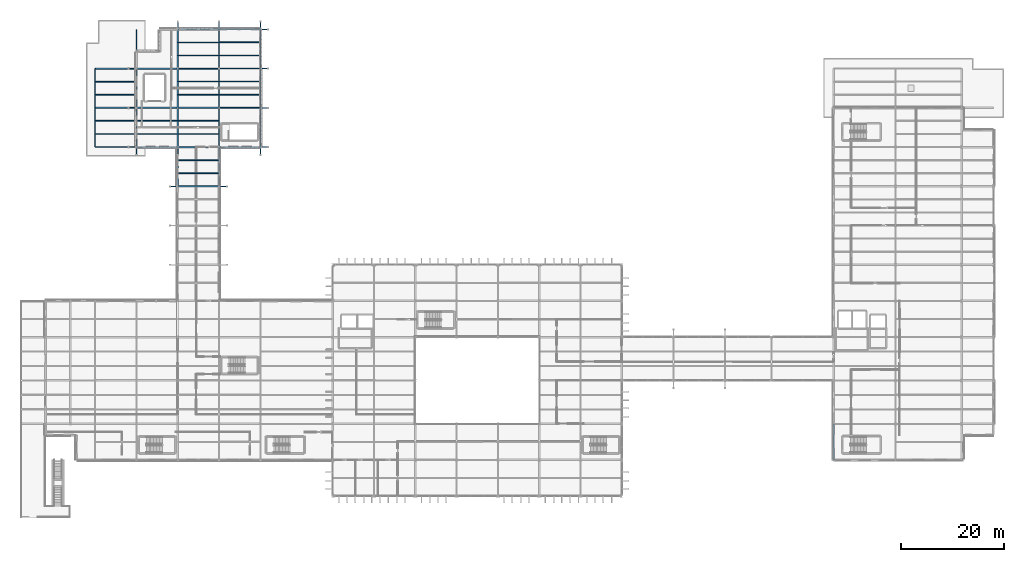
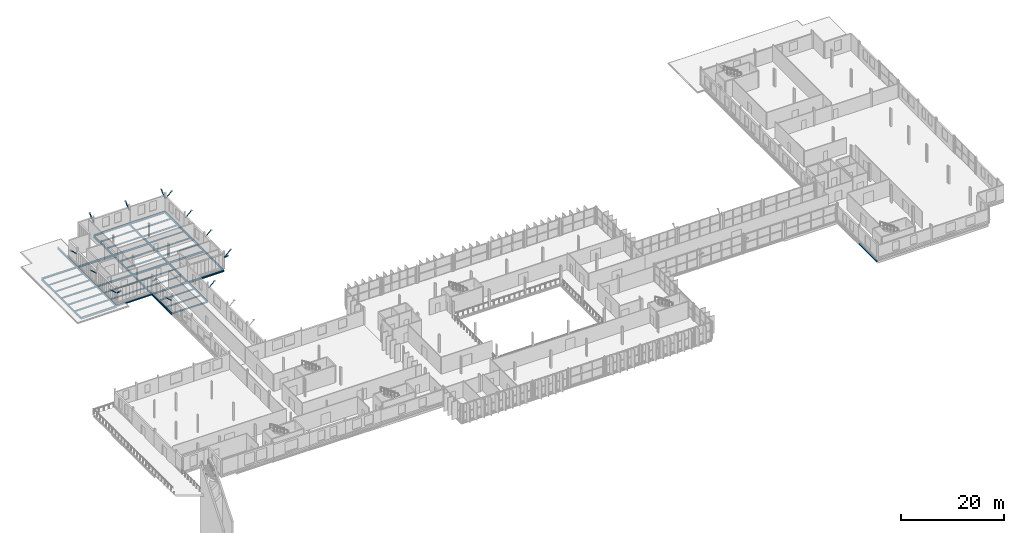
# One storey, part 51 of 101: 50 beams, 15 members.
"""IFC4 building model written with IfcOpenShell, lengths in metres."""

from ifc_helpers import new_model, si_unit, direction, frame, origin, origin_2d, place, context, subcontext, project, spatial, hollow_rectangle, i_section, extrude, material, material_profile, profile_set, type_object, element, save


model = new_model("IFC4")

# Units and contexts
model_context = context("Model", 3, precision=1e-05, world=origin(), true_north=direction((0.0, 1.0)))
body_context = subcontext(model_context, "Body", "Model", "MODEL_VIEW")
ifc_project = project(units=[si_unit("LENGTHUNIT", "METRE"), si_unit("AREAUNIT", "SQUARE_METRE"), si_unit("VOLUMEUNIT", "CUBIC_METRE"), si_unit("PLANEANGLEUNIT", "RADIAN"), si_unit("MASSUNIT", "GRAM", prefix="KILO")], contexts=[model_context])

# Site, building, storey
site_placement = place(None, origin())
site = spatial("IfcSite", under=ifc_project, at=site_placement, CompositionType="ELEMENT")
building_placement = place(site_placement, origin())
building = spatial("IfcBuilding", under=site, at=building_placement, Name="Vekula Escarpment Museum", CompositionType="ELEMENT")
storey_placement = place(building_placement, frame((0.0, 0.0, 18.0)))
storey = spatial("IfcBuildingStorey", under=building, at=storey_placement, Name="L04", CompositionType="ELEMENT", Elevation=18.0)

# Beams
ifc_material_1 = material(Name="Steel S355", Category="steel")
ifc_material_profile_1 = material_profile(ifc_material_1, i_section(OverallWidth=0.280029296875, OverallDepth=0.280029296875, WebThickness=0.010498046875, FlangeThickness=0.01806640625, FilletRadius=0.02392578125, at=origin_2d()), Name="HEB 280")
ifc_profile_set_1 = profile_set([ifc_material_profile_1], Name="Steel S355")
beam_type_1 = type_object("IfcBeamType", Name="BM-GIRD-HEB280", PredefinedType="BEAM", material=ifc_profile_set_1)
for number, where, z_axis, x_axis, name in (
    (1, (40.0, 105.60009765625, -0.3798828125), (1.0, 0.0, 0.0), (0.0, 1.0, 0.0), "Beam X L04 1796"),
    (2, (32.0, 113.199951171875, -0.3798828125), (1.0, 0.0, 0.0), (0.0, 1.0, 0.0), "Beam X L04 1801"),
):
    element("IfcBeam", number, at=place(storey_placement, frame(where, z_axis=z_axis, x_axis=x_axis)), inside=storey, type_object=beam_type_1, Name=name, PredefinedType="BEAM", context=body_context, shape_type="SweptSolid", body=[
        extrude(i_section(OverallWidth=0.280029296875, OverallDepth=0.280029296875, WebThickness=0.010498046875, FlangeThickness=0.01806640625, FilletRadius=0.02392578125, at=origin_2d()), origin(), (0.0, 0.0, 1.0), 8.0),
    ])
ifc_material_2 = material(Name="Steel S355", Category="steel")
ifc_material_profile_2 = material_profile(ifc_material_2, i_section(OverallWidth=0.300048828125, OverallDepth=0.300048828125, WebThickness=0.010986328125, FlangeThickness=0.01904296875, FilletRadius=0.027099609375, at=origin_2d()), Name="HEB 300")
ifc_profile_set_2 = profile_set([ifc_material_profile_2], Name="Steel S355")
beam_type_2 = type_object("IfcBeamType", Name="BM-GIRD-HEB300", PredefinedType="BEAM", material=ifc_profile_set_2)
beam_1_placement = place(storey_placement, frame((24.0, 120.800048828125, -0.389892578125), z_axis=(1.0, 0.0, 0.0), x_axis=(0.0, 1.0, 0.0)))
element("IfcBeam", 3, at=beam_1_placement, inside=storey, type_object=beam_type_2, Name="Beam X L04 1807", PredefinedType="BEAM", context=body_context, shape_type="SweptSolid", body=[
    extrude(i_section(OverallWidth=0.300048828125, OverallDepth=0.300048828125, WebThickness=0.010986328125, FlangeThickness=0.01904296875, FilletRadius=0.027099609375, at=origin_2d()), origin(), (0.0, 0.0, 1.0), 8.0),
])
ifc_material_3 = material(Name="Steel S355", Category="steel")
ifc_material_profile_3 = material_profile(ifc_material_3, i_section(OverallWidth=0.300048828125, OverallDepth=0.320068359375, WebThickness=0.011474609375, FlangeThickness=0.0205078125, FilletRadius=0.027099609375, at=origin_2d()), Name="HEB 320")
ifc_profile_set_3 = profile_set([ifc_material_profile_3], Name="Steel S355")
beam_type_3 = type_object("IfcBeamType", Name="BM-GIRD-HEB320", PredefinedType="BEAM", material=ifc_profile_set_3)
beam_2_placement = place(storey_placement, frame((40.0, 113.199951171875, -0.39990234375), z_axis=(1.0, 0.0, 0.0), x_axis=(0.0, 1.0, 0.0)))
element("IfcBeam", 4, at=beam_2_placement, inside=storey, type_object=beam_type_3, Name="Beam X L04 1802", PredefinedType="BEAM", context=body_context, shape_type="SweptSolid", body=[
    extrude(i_section(OverallWidth=0.300048828125, OverallDepth=0.320068359375, WebThickness=0.011474609375, FlangeThickness=0.0205078125, FilletRadius=0.027099609375, at=origin_2d()), origin(), (0.0, 0.0, 1.0), 8.0),
])
ifc_material_4 = material(Name="Steel S355", Category="steel")
ifc_material_profile_4 = material_profile(ifc_material_4, i_section(OverallWidth=0.300048828125, OverallDepth=0.360107421875, WebThickness=0.012451171875, FlangeThickness=0.0224609375, FilletRadius=0.027099609375, at=origin_2d()), Name="HEB 360")
ifc_profile_set_4 = profile_set([ifc_material_profile_4], Name="Steel S355")
beam_type_4 = type_object("IfcBeamType", Name="BM-GIRD-HEB360", PredefinedType="BEAM", material=ifc_profile_set_4)
for number, where, z_axis, x_axis, name in (
    (5, (32.0, 120.800048828125, -0.419921875), (1.0, 0.0, 0.0), (0.0, 1.0, 0.0), "Beam X L04 1808"),
    (6, (24.0, 128.39990234375, -0.419921875), (1.0, 0.0, 0.0), (0.0, 1.0, 0.0), "Beam X L04 1814"),
):
    element("IfcBeam", number, at=place(storey_placement, frame(where, z_axis=z_axis, x_axis=x_axis)), inside=storey, type_object=beam_type_4, Name=name, PredefinedType="BEAM", context=body_context, shape_type="SweptSolid", body=[
        extrude(i_section(OverallWidth=0.300048828125, OverallDepth=0.360107421875, WebThickness=0.012451171875, FlangeThickness=0.0224609375, FilletRadius=0.027099609375, at=origin_2d()), origin(), (0.0, 0.0, 1.0), 8.0),
    ])
ifc_material_5 = material(Name="Steel S355", Category="steel")
ifc_material_profile_5 = material_profile(ifc_material_5, i_section(OverallWidth=0.300048828125, OverallDepth=0.39990234375, WebThickness=0.013427734375, FlangeThickness=0.02392578125, FilletRadius=0.027099609375, at=origin_2d()), Name="HEB 400")
ifc_profile_set_5 = profile_set([ifc_material_profile_5], Name="Steel S355")
beam_type_5 = type_object("IfcBeamType", Name="BM-GIRD-HEB400", PredefinedType="BEAM", material=ifc_profile_set_5)
beam_3_placement = place(storey_placement, frame((48.0, 113.199951171875, -0.43994140625), z_axis=(1.0, 0.0, 0.0), x_axis=(0.0, 1.0, 0.0)))
element("IfcBeam", 7, at=beam_3_placement, inside=storey, type_object=beam_type_5, Name="Beam X L04 1803", PredefinedType="BEAM", context=body_context, shape_type="SweptSolid", body=[
    extrude(i_section(OverallWidth=0.300048828125, OverallDepth=0.39990234375, WebThickness=0.013427734375, FlangeThickness=0.02392578125, FilletRadius=0.027099609375, at=origin_2d()), origin(), (0.0, 0.0, 1.0), 8.0),
])
ifc_material_6 = material(Name="Steel S355", Category="steel")
ifc_material_profile_6 = material_profile(ifc_material_6, i_section(OverallWidth=0.300048828125, OverallDepth=0.449951171875, WebThickness=0.013916015625, FlangeThickness=0.02587890625, FilletRadius=0.027099609375, at=origin_2d()), Name="HEB 450")
ifc_profile_set_6 = profile_set([ifc_material_profile_6], Name="Steel S355")
beam_type_6 = type_object("IfcBeamType", Name="BM-GIRD-HEB450", PredefinedType="BEAM", material=ifc_profile_set_6)
for number, where, z_axis, x_axis, name in (
    (8, (40.0, 120.800048828125, -0.465087890625), (1.0, 0.0, 0.0), (0.0, 1.0, 0.0), "Beam X L04 1809"),
    (9, (32.0, 128.39990234375, -0.465087890625), (1.0, 0.0, 0.0), (0.0, 1.0, 0.0), "Beam X L04 1815"),
):
    element("IfcBeam", number, at=place(storey_placement, frame(where, z_axis=z_axis, x_axis=x_axis)), inside=storey, type_object=beam_type_6, Name=name, PredefinedType="BEAM", context=body_context, shape_type="SweptSolid", body=[
        extrude(i_section(OverallWidth=0.300048828125, OverallDepth=0.449951171875, WebThickness=0.013916015625, FlangeThickness=0.02587890625, FilletRadius=0.027099609375, at=origin_2d()), origin(), (0.0, 0.0, 1.0), 8.0),
    ])
ifc_material_7 = material(Name="Steel S355", Category="steel")
ifc_material_profile_7 = material_profile(ifc_material_7, i_section(OverallWidth=0.18994140625, OverallDepth=0.449951171875, WebThickness=0.009521484375, FlangeThickness=0.0146484375, FilletRadius=0.02099609375, at=origin_2d()), Name="IPE 450")
ifc_profile_set_7 = profile_set([ifc_material_profile_7], Name="Steel S355")
beam_type_7 = type_object("IfcBeamType", Name="BM-GIRD-IPE450", PredefinedType="BEAM", material=ifc_profile_set_7)
for number, where, z_axis, x_axis, name in (
    (10, (48.0, 120.800048828125, -0.465087890625), (1.0, 0.0, 0.0), (0.0, 1.0, 0.0), "Beam X L04 1810"),
    (11, (40.0, 128.39990234375, -0.465087890625), (1.0, 0.0, 0.0), (0.0, 1.0, 0.0), "Beam X L04 1816"),
):
    element("IfcBeam", number, at=place(storey_placement, frame(where, z_axis=z_axis, x_axis=x_axis)), inside=storey, type_object=beam_type_7, Name=name, PredefinedType="BEAM", context=body_context, shape_type="SweptSolid", body=[
        extrude(i_section(OverallWidth=0.18994140625, OverallDepth=0.449951171875, WebThickness=0.009521484375, FlangeThickness=0.0146484375, FilletRadius=0.02099609375, at=origin_2d()), origin(), (0.0, 0.0, 1.0), 8.0),
    ])
ifc_material_8 = material(Name="Steel S355", Category="steel")
ifc_material_profile_8 = material_profile(ifc_material_8, i_section(OverallWidth=0.199951171875, OverallDepth=0.5, WebThickness=0.01025390625, FlangeThickness=0.01611328125, FilletRadius=0.02099609375, at=origin_2d()), Name="IPE 500")
ifc_profile_set_8 = profile_set([ifc_material_profile_8], Name="Steel S355")
beam_type_8 = type_object("IfcBeamType", Name="BM-GIRD-IPE500", PredefinedType="BEAM", material=ifc_profile_set_8)
beam_4_placement = place(storey_placement, frame((24.0, 113.199951171875, -0.489990234375), z_axis=(1.0, 0.0, 0.0), x_axis=(0.0, 1.0, 0.0)))
element("IfcBeam", 12, at=beam_4_placement, inside=storey, type_object=beam_type_8, Name="Beam X L04 1800", PredefinedType="BEAM", context=body_context, shape_type="SweptSolid", body=[
    extrude(i_section(OverallWidth=0.199951171875, OverallDepth=0.5, WebThickness=0.01025390625, FlangeThickness=0.01611328125, FilletRadius=0.02099609375, at=origin_2d()), origin(), (0.0, 0.0, 1.0), 8.0),
])
beam_5_placement = place(storey_placement, frame((24.0, 113.199951171875, -0.449951171875), z_axis=(0.0, 1.0, 0.0), x_axis=(-1.0, 0.0, 0.0)))
element("IfcBeam", 13, at=beam_5_placement, inside=storey, type_object=beam_type_8, Name="Beam Y L04 1835", PredefinedType="BEAM", context=body_context, shape_type="SweptSolid", body=[
    extrude(i_section(OverallWidth=0.199951171875, OverallDepth=0.5, WebThickness=0.01025390625, FlangeThickness=0.01611328125, FilletRadius=0.02099609375, at=origin_2d()), origin(), (0.0, 0.0, 1.0), 7.60009765625),
])
beam_6_placement = place(storey_placement, frame((24.0, 120.800048828125, -0.449951171875), z_axis=(0.0, 1.0, 0.0), x_axis=(-1.0, 0.0, 0.0)))
element("IfcBeam", 14, at=beam_6_placement, inside=storey, type_object=beam_type_8, Name="Beam Y L04 1836", PredefinedType="BEAM", context=body_context, shape_type="SweptSolid", body=[
    extrude(i_section(OverallWidth=0.199951171875, OverallDepth=0.5, WebThickness=0.01025390625, FlangeThickness=0.01611328125, FilletRadius=0.02099609375, at=origin_2d()), origin(), (0.0, 0.0, 1.0), 7.599853515625),
])
beam_7_placement = place(storey_placement, frame((32.0, 113.199951171875, -0.489990234375), z_axis=(0.0, 1.0, 0.0), x_axis=(-1.0, 0.0, 0.0)))
element("IfcBeam", 15, at=beam_7_placement, inside=storey, type_object=beam_type_8, Name="Beam Y L04 1841", PredefinedType="BEAM", context=body_context, shape_type="SweptSolid", body=[
    extrude(i_section(OverallWidth=0.199951171875, OverallDepth=0.5, WebThickness=0.01025390625, FlangeThickness=0.01611328125, FilletRadius=0.02099609375, at=origin_2d()), origin(), (0.0, 0.0, 1.0), 7.60009765625),
])
beam_8_placement = place(storey_placement, frame((32.0, 120.800048828125, -0.489990234375), z_axis=(0.0, 1.0, 0.0), x_axis=(-1.0, 0.0, 0.0)))
element("IfcBeam", 16, at=beam_8_placement, inside=storey, type_object=beam_type_8, Name="Beam Y L04 1842", PredefinedType="BEAM", context=body_context, shape_type="SweptSolid", body=[
    extrude(i_section(OverallWidth=0.199951171875, OverallDepth=0.5, WebThickness=0.01025390625, FlangeThickness=0.01611328125, FilletRadius=0.02099609375, at=origin_2d()), origin(), (0.0, 0.0, 1.0), 7.599853515625),
])
beam_9_placement = place(storey_placement, frame((32.0, 128.39990234375, -0.489990234375), z_axis=(0.0, 1.0, 0.0), x_axis=(-1.0, 0.0, 0.0)))
element("IfcBeam", 17, at=beam_9_placement, inside=storey, type_object=beam_type_8, Name="Beam Y L04 1843", PredefinedType="BEAM", context=body_context, shape_type="SweptSolid", body=[
    extrude(i_section(OverallWidth=0.199951171875, OverallDepth=0.5, WebThickness=0.01025390625, FlangeThickness=0.01611328125, FilletRadius=0.02099609375, at=origin_2d()), origin(), (0.0, 0.0, 1.0), 7.60009765625),
])
beam_10_placement = place(storey_placement, frame((40.0, 105.60009765625, -0.489990234375), z_axis=(0.0, 1.0, 0.0), x_axis=(-1.0, 0.0, 0.0)))
element("IfcBeam", 18, at=beam_10_placement, inside=storey, type_object=beam_type_8, Name="Beam Y L04 1851", PredefinedType="BEAM", context=body_context, shape_type="SweptSolid", body=[
    extrude(i_section(OverallWidth=0.199951171875, OverallDepth=0.5, WebThickness=0.01025390625, FlangeThickness=0.01611328125, FilletRadius=0.02099609375, at=origin_2d()), origin(), (0.0, 0.0, 1.0), 7.599853515625),
])
beam_11_placement = place(storey_placement, frame((40.0, 113.199951171875, -0.489990234375), z_axis=(0.0, 1.0, 0.0), x_axis=(-1.0, 0.0, 0.0)))
element("IfcBeam", 19, at=beam_11_placement, inside=storey, type_object=beam_type_8, Name="Beam Y L04 1852", PredefinedType="BEAM", context=body_context, shape_type="SweptSolid", body=[
    extrude(i_section(OverallWidth=0.199951171875, OverallDepth=0.5, WebThickness=0.01025390625, FlangeThickness=0.01611328125, FilletRadius=0.02099609375, at=origin_2d()), origin(), (0.0, 0.0, 1.0), 7.60009765625),
])
beam_12_placement = place(storey_placement, frame((40.0, 120.800048828125, -0.489990234375), z_axis=(0.0, 1.0, 0.0), x_axis=(-1.0, 0.0, 0.0)))
element("IfcBeam", 20, at=beam_12_placement, inside=storey, type_object=beam_type_8, Name="Beam Y L04 1853", PredefinedType="BEAM", context=body_context, shape_type="SweptSolid", body=[
    extrude(i_section(OverallWidth=0.199951171875, OverallDepth=0.5, WebThickness=0.01025390625, FlangeThickness=0.01611328125, FilletRadius=0.02099609375, at=origin_2d()), origin(), (0.0, 0.0, 1.0), 7.599853515625),
])
beam_13_placement = place(storey_placement, frame((40.0, 128.39990234375, -0.489990234375), z_axis=(0.0, 1.0, 0.0), x_axis=(-1.0, 0.0, 0.0)))
element("IfcBeam", 21, at=beam_13_placement, inside=storey, type_object=beam_type_8, Name="Beam Y L04 1854", PredefinedType="BEAM", context=body_context, shape_type="SweptSolid", body=[
    extrude(i_section(OverallWidth=0.199951171875, OverallDepth=0.5, WebThickness=0.01025390625, FlangeThickness=0.01611328125, FilletRadius=0.02099609375, at=origin_2d()), origin(), (0.0, 0.0, 1.0), 7.60009765625),
])
beam_14_placement = place(storey_placement, frame((48.0, 105.60009765625, -0.489990234375), z_axis=(0.0, 1.0, 0.0), x_axis=(-1.0, 0.0, 0.0)))
element("IfcBeam", 22, at=beam_14_placement, inside=storey, type_object=beam_type_8, Name="Beam Y L04 1862", PredefinedType="BEAM", context=body_context, shape_type="SweptSolid", body=[
    extrude(i_section(OverallWidth=0.199951171875, OverallDepth=0.5, WebThickness=0.01025390625, FlangeThickness=0.01611328125, FilletRadius=0.02099609375, at=origin_2d()), origin(), (0.0, 0.0, 1.0), 7.599853515625),
])
beam_15_placement = place(storey_placement, frame((48.0, 113.199951171875, -0.489990234375), z_axis=(0.0, 1.0, 0.0), x_axis=(-1.0, 0.0, 0.0)))
element("IfcBeam", 23, at=beam_15_placement, inside=storey, type_object=beam_type_8, Name="Beam Y L04 1863", PredefinedType="BEAM", context=body_context, shape_type="SweptSolid", body=[
    extrude(i_section(OverallWidth=0.199951171875, OverallDepth=0.5, WebThickness=0.01025390625, FlangeThickness=0.01611328125, FilletRadius=0.02099609375, at=origin_2d()), origin(), (0.0, 0.0, 1.0), 7.60009765625),
])
beam_16_placement = place(storey_placement, frame((48.0, 120.800048828125, -0.489990234375), z_axis=(0.0, 1.0, 0.0), x_axis=(-1.0, 0.0, 0.0)))
element("IfcBeam", 24, at=beam_16_placement, inside=storey, type_object=beam_type_8, Name="Beam Y L04 1864", PredefinedType="BEAM", context=body_context, shape_type="SweptSolid", body=[
    extrude(i_section(OverallWidth=0.199951171875, OverallDepth=0.5, WebThickness=0.01025390625, FlangeThickness=0.01611328125, FilletRadius=0.02099609375, at=origin_2d()), origin(), (0.0, 0.0, 1.0), 7.599853515625),
])
for number, where, z_axis, x_axis, name in (
    (25, (48.0, 128.39990234375, -0.489990234375), (0.0, 1.0, 0.0), (-1.0, 0.0, 0.0), "Beam Y L04 1865"),
    (26, (56.0, 113.199951171875, -0.489990234375), (0.0, 1.0, 0.0), (-1.0, 0.0, 0.0), "Beam Y L04 1870"),
):
    element("IfcBeam", number, at=place(storey_placement, frame(where, z_axis=z_axis, x_axis=x_axis)), inside=storey, type_object=beam_type_8, Name=name, PredefinedType="BEAM", context=body_context, shape_type="SweptSolid", body=[
        extrude(i_section(OverallWidth=0.199951171875, OverallDepth=0.5, WebThickness=0.01025390625, FlangeThickness=0.01611328125, FilletRadius=0.02099609375, at=origin_2d()), origin(), (0.0, 0.0, 1.0), 7.60009765625),
    ])
beam_17_placement = place(storey_placement, frame((56.0, 120.800048828125, -0.489990234375), z_axis=(0.0, 1.0, 0.0), x_axis=(-1.0, 0.0, 0.0)))
element("IfcBeam", 27, at=beam_17_placement, inside=storey, type_object=beam_type_8, Name="Beam Y L04 1871", PredefinedType="BEAM", context=body_context, shape_type="SweptSolid", body=[
    extrude(i_section(OverallWidth=0.199951171875, OverallDepth=0.5, WebThickness=0.01025390625, FlangeThickness=0.01611328125, FilletRadius=0.02099609375, at=origin_2d()), origin(), (0.0, 0.0, 1.0), 7.599853515625),
])
beam_18_placement = place(storey_placement, frame((56.0, 128.39990234375, -0.489990234375), z_axis=(0.0, 1.0, 0.0), x_axis=(-1.0, 0.0, 0.0)))
element("IfcBeam", 28, at=beam_18_placement, inside=storey, type_object=beam_type_8, Name="Beam Y L04 1872", PredefinedType="BEAM", context=body_context, shape_type="SweptSolid", body=[
    extrude(i_section(OverallWidth=0.199951171875, OverallDepth=0.5, WebThickness=0.01025390625, FlangeThickness=0.01611328125, FilletRadius=0.02099609375, at=origin_2d()), origin(), (0.0, 0.0, 1.0), 7.60009765625),
])
ifc_material_9 = material(Name="Steel S355", Category="steel")
ifc_material_profile_9 = material_profile(ifc_material_9, i_section(OverallWidth=0.1201171875, OverallDepth=0.239990234375, WebThickness=0.006103515625, FlangeThickness=0.009765625, FilletRadius=0.014892578125, at=origin_2d()), Name="IPE 240")
ifc_profile_set_9 = profile_set([ifc_material_profile_9], Name="Steel S355")
beam_type_9 = type_object("IfcBeamType", Name="BM-JST-IPE240", PredefinedType="JOIST", material=ifc_profile_set_9)
for number, where, z_axis, x_axis, name in (
    (29, (40.090087890625, 130.933349609375, -0.360107421875), (1.0, 0.0, 0.0), (0.0, 1.0, 0.0), "Secondary Joist L04 1182"),
    (30, (40.090087890625, 133.466796875, -0.360107421875), (1.0, 0.0, 0.0), (0.0, 1.0, 0.0), "Secondary Joist L04 1183"),
    (31, (48.090087890625, 123.333251953125, -0.360107421875), (1.0, 0.0, 0.0), (0.0, 1.0, 0.0), "Secondary Joist L04 1188"),
    (32, (48.090087890625, 125.86669921875, -0.360107421875), (1.0, 0.0, 0.0), (0.0, 1.0, 0.0), "Secondary Joist L04 1189"),
):
    element("IfcBeam", number, at=place(storey_placement, frame(where, z_axis=z_axis, x_axis=x_axis)), inside=storey, type_object=beam_type_9, Name=name, PredefinedType="JOIST", context=body_context, shape_type="SweptSolid", body=[
        extrude(i_section(OverallWidth=0.1201171875, OverallDepth=0.239990234375, WebThickness=0.006103515625, FlangeThickness=0.009765625, FilletRadius=0.014892578125, at=origin_2d()), origin(), (0.0, 0.0, 1.0), 7.81982421875),
    ])
ifc_material_10 = material(Name="Steel S355", Category="steel")
ifc_material_profile_10 = material_profile(ifc_material_10, i_section(OverallWidth=0.135009765625, OverallDepth=0.27001953125, WebThickness=0.006591796875, FlangeThickness=0.01025390625, FilletRadius=0.014892578125, at=origin_2d()), Name="IPE 270")
ifc_profile_set_10 = profile_set([ifc_material_profile_10], Name="Steel S355")
beam_type_10 = type_object("IfcBeamType", Name="BM-JST-IPE270", PredefinedType="JOIST", material=ifc_profile_set_10)
for number, where, z_axis, x_axis, name in (
    (33, (40.090087890625, 123.333251953125, -0.375), (1.0, 0.0, 0.0), (0.0, 1.0, 0.0), "Secondary Joist L04 1180"),
    (34, (40.090087890625, 125.86669921875, -0.375), (1.0, 0.0, 0.0), (0.0, 1.0, 0.0), "Secondary Joist L04 1181"),
):
    element("IfcBeam", number, at=place(storey_placement, frame(where, z_axis=z_axis, x_axis=x_axis)), inside=storey, type_object=beam_type_10, Name=name, PredefinedType="JOIST", context=body_context, shape_type="SweptSolid", body=[
        extrude(i_section(OverallWidth=0.135009765625, OverallDepth=0.27001953125, WebThickness=0.006591796875, FlangeThickness=0.01025390625, FilletRadius=0.014892578125, at=origin_2d()), origin(), (0.0, 0.0, 1.0), 7.81982421875),
    ])
ifc_material_11 = material(Name="Steel S355", Category="steel")
ifc_material_profile_11 = material_profile(ifc_material_11, i_section(OverallWidth=0.14990234375, OverallDepth=0.300048828125, WebThickness=0.007080078125, FlangeThickness=0.0107421875, FilletRadius=0.014892578125, at=origin_2d()), Name="IPE 300")
ifc_profile_set_11 = profile_set([ifc_material_profile_11], Name="Steel S355")
beam_type_11 = type_object("IfcBeamType", Name="BM-JST-IPE300", PredefinedType="JOIST", material=ifc_profile_set_11)
for number, where, z_axis, x_axis, name in (
    (35, (40.090087890625, 115.7333984375, -0.389892578125), (1.0, 0.0, 0.0), (0.0, 1.0, 0.0), "Secondary Joist L04 1178"),
    (36, (40.090087890625, 118.2666015625, -0.389892578125), (1.0, 0.0, 0.0), (0.0, 1.0, 0.0), "Secondary Joist L04 1179"),
):
    element("IfcBeam", number, at=place(storey_placement, frame(where, z_axis=z_axis, x_axis=x_axis)), inside=storey, type_object=beam_type_11, Name=name, PredefinedType="JOIST", context=body_context, shape_type="SweptSolid", body=[
        extrude(i_section(OverallWidth=0.14990234375, OverallDepth=0.300048828125, WebThickness=0.007080078125, FlangeThickness=0.0107421875, FilletRadius=0.014892578125, at=origin_2d()), origin(), (0.0, 0.0, 1.0), 7.81982421875),
    ])
ifc_material_12 = material(Name="Steel S355", Category="steel")
ifc_material_profile_12 = material_profile(ifc_material_12, i_section(OverallWidth=0.159912109375, OverallDepth=0.330078125, WebThickness=0.007568359375, FlangeThickness=0.011474609375, FilletRadius=0.01806640625, at=origin_2d()), Name="IPE 330")
ifc_profile_set_12 = profile_set([ifc_material_profile_12], Name="Steel S355")
beam_type_12 = type_object("IfcBeamType", Name="BM-JST-IPE330", PredefinedType="JOIST", material=ifc_profile_set_12)
for number, where, z_axis, x_axis, name in (
    (37, (24.090087890625, 123.333251953125, -0.405029296875), (1.0, 0.0, 0.0), (0.0, 1.0, 0.0), "Secondary Joist L04 1156"),
    (38, (24.090087890625, 125.86669921875, -0.405029296875), (1.0, 0.0, 0.0), (0.0, 1.0, 0.0), "Secondary Joist L04 1157"),
    (39, (32.090087890625, 115.7333984375, -0.405029296875), (1.0, 0.0, 0.0), (0.0, 1.0, 0.0), "Secondary Joist L04 1163"),
    (40, (32.090087890625, 118.2666015625, -0.405029296875), (1.0, 0.0, 0.0), (0.0, 1.0, 0.0), "Secondary Joist L04 1164"),
    (41, (40.090087890625, 108.13330078125, -0.405029296875), (1.0, 0.0, 0.0), (0.0, 1.0, 0.0), "Secondary Joist L04 1176"),
    (42, (40.090087890625, 110.666748046875, -0.405029296875), (1.0, 0.0, 0.0), (0.0, 1.0, 0.0), "Secondary Joist L04 1177"),
):
    element("IfcBeam", number, at=place(storey_placement, frame(where, z_axis=z_axis, x_axis=x_axis)), inside=storey, type_object=beam_type_12, Name=name, PredefinedType="JOIST", context=body_context, shape_type="SweptSolid", body=[
        extrude(i_section(OverallWidth=0.159912109375, OverallDepth=0.330078125, WebThickness=0.007568359375, FlangeThickness=0.011474609375, FilletRadius=0.01806640625, at=origin_2d()), origin(), (0.0, 0.0, 1.0), 7.81982421875),
    ])
ifc_material_13 = material(Name="Steel S355", Category="steel")
ifc_material_profile_13 = material_profile(ifc_material_13, i_section(OverallWidth=0.169921875, OverallDepth=0.360107421875, WebThickness=0.008056640625, FlangeThickness=0.0126953125, FilletRadius=0.01806640625, at=origin_2d()), Name="IPE 360")
ifc_profile_set_13 = profile_set([ifc_material_profile_13], Name="Steel S355")
beam_type_13 = type_object("IfcBeamType", Name="BM-JST-IPE360", PredefinedType="JOIST", material=ifc_profile_set_13)
for number, where, z_axis, x_axis, name in (
    (43, (24.090087890625, 115.7333984375, -0.419921875), (1.0, 0.0, 0.0), (0.0, 1.0, 0.0), "Secondary Joist L04 1154"),
    (44, (24.090087890625, 118.2666015625, -0.419921875), (1.0, 0.0, 0.0), (0.0, 1.0, 0.0), "Secondary Joist L04 1155"),
    (45, (48.090087890625, 130.933349609375, -0.419921875), (1.0, 0.0, 0.0), (0.0, 1.0, 0.0), "Secondary Joist L04 1190"),
    (46, (48.090087890625, 133.466796875, -0.419921875), (1.0, 0.0, 0.0), (0.0, 1.0, 0.0), "Secondary Joist L04 1191"),
):
    element("IfcBeam", number, at=place(storey_placement, frame(where, z_axis=z_axis, x_axis=x_axis)), inside=storey, type_object=beam_type_13, Name=name, PredefinedType="JOIST", context=body_context, shape_type="SweptSolid", body=[
        extrude(i_section(OverallWidth=0.169921875, OverallDepth=0.360107421875, WebThickness=0.008056640625, FlangeThickness=0.0126953125, FilletRadius=0.01806640625, at=origin_2d()), origin(), (0.0, 0.0, 1.0), 7.81982421875),
    ])
ifc_material_14 = material(Name="Steel S355", Category="steel")
ifc_material_profile_14 = material_profile(ifc_material_14, i_section(OverallWidth=0.239990234375, OverallDepth=0.22998046875, WebThickness=0.007568359375, FlangeThickness=0.011962890625, FilletRadius=0.02099609375, at=origin_2d()), Name="HEA 240")
ifc_profile_set_14 = profile_set([ifc_material_profile_14], Name="Steel S355")
beam_type_14 = type_object("IfcBeamType", Name="BM-SPAN-HEA240", PredefinedType="SPANDREL", material=ifc_profile_set_14)
beam_19_placement = place(storey_placement, frame((48.0, 128.39990234375, -0.35498046875), z_axis=(1.0, 0.0, 0.0), x_axis=(0.0, 1.0, 0.0)))
element("IfcBeam", 47, at=beam_19_placement, inside=storey, type_object=beam_type_14, Name="Beam X L04 1817", PredefinedType="SPANDREL", context=body_context, shape_type="SweptSolid", body=[
    extrude(i_section(OverallWidth=0.239990234375, OverallDepth=0.22998046875, WebThickness=0.007568359375, FlangeThickness=0.011962890625, FilletRadius=0.02099609375, at=origin_2d()), origin(), (0.0, 0.0, 1.0), 8.0),
])
ifc_material_15 = material(Name="Steel S355", Category="steel")
ifc_material_profile_15 = material_profile(ifc_material_15, i_section(OverallWidth=0.300048828125, OverallDepth=0.2900390625, WebThickness=0.008544921875, FlangeThickness=0.013916015625, FilletRadius=0.027099609375, at=origin_2d()), Name="HEA 300")
ifc_profile_set_15 = profile_set([ifc_material_profile_15], Name="Steel S355")
beam_type_15 = type_object("IfcBeamType", Name="BM-SPAN-HEA300", PredefinedType="SPANDREL", material=ifc_profile_set_15)
beam_20_placement = place(storey_placement, frame((167.0, 52.60009765625, -0.425048828125), z_axis=(0.0, 1.0, 0.0), x_axis=(-1.0, 0.0, 0.0)))
element("IfcBeam", 48, at=beam_20_placement, inside=storey, type_object=beam_type_15, Name="Beam Y L04 1920", PredefinedType="SPANDREL", context=body_context, shape_type="SweptSolid", body=[
    extrude(i_section(OverallWidth=0.300048828125, OverallDepth=0.2900390625, WebThickness=0.008544921875, FlangeThickness=0.013916015625, FilletRadius=0.027099609375, at=origin_2d()), origin(), (0.0, 0.0, 1.0), 7.0),
])
ifc_material_16 = material(Name="Steel S355", Category="steel")
ifc_material_profile_16 = material_profile(ifc_material_16, i_section(OverallWidth=0.300048828125, OverallDepth=0.389892578125, WebThickness=0.010986328125, FlangeThickness=0.01904296875, FilletRadius=0.027099609375, at=origin_2d()), Name="HEA 400")
ifc_profile_set_16 = profile_set([ifc_material_profile_16], Name="Steel S355")
beam_type_16 = type_object("IfcBeamType", Name="BM-SPAN-HEA400", PredefinedType="SPANDREL", material=ifc_profile_set_16)
for number, where, z_axis, x_axis, name in (
    (49, (40.0, 136.0, -0.43505859375), (1.0, 0.0, 0.0), (0.0, 1.0, 0.0), "Beam X L04 1820"),
    (50, (48.0, 136.0, -0.43505859375), (1.0, 0.0, 0.0), (0.0, 1.0, 0.0), "Beam X L04 1821"),
):
    element("IfcBeam", number, at=place(storey_placement, frame(where, z_axis=z_axis, x_axis=x_axis)), inside=storey, type_object=beam_type_16, Name=name, PredefinedType="SPANDREL", context=body_context, shape_type="SweptSolid", body=[
        extrude(i_section(OverallWidth=0.300048828125, OverallDepth=0.389892578125, WebThickness=0.010986328125, FlangeThickness=0.01904296875, FilletRadius=0.027099609375, at=origin_2d()), origin(), (0.0, 0.0, 1.0), 8.0),
    ])

# Members
ifc_material_17 = material(Name="Steel S355", Category="steel")
ifc_material_profile_17 = material_profile(ifc_material_17, hollow_rectangle(XDim=0.10009765625, YDim=0.199951171875, WallThickness=0.008056640625, InnerFilletRadius=0.008056640625, OuterFilletRadius=0.01611328125, at=origin_2d()), Name="RHS 200x100x8")
ifc_profile_set_17 = profile_set([ifc_material_profile_17], Name="Steel S355")
member_type = type_object("IfcMemberType", Name="MB-SACAK-BRK", PredefinedType="STRUT", material=ifc_profile_set_17)
member_1_placement = place(storey_placement, frame((31.8798828125, 113.199951171875, 2.75), z_axis=(-0.738454378718, 0.0, 0.674303441006), x_axis=(0.0, -1.0, 0.0)))
element("IfcMember", 51, at=member_1_placement, inside=storey, type_object=member_type, Name="Ottoman Sacak Eave Bracket L05-0104", PredefinedType="STRUT", context=body_context, shape_type="SweptSolid", body=[
    extrude(hollow_rectangle(XDim=0.10009765625, YDim=0.199951171875, WallThickness=0.008056640625, InnerFilletRadius=0.008056640625, OuterFilletRadius=0.01611328125, at=origin_2d()), origin(), (0.0, 0.0, 1.0), 1.86865234375),
])
member_2_placement = place(storey_placement, frame((32.0, 113.080078125, 2.75), z_axis=(0.0, -0.738513776389, 0.674238386688), x_axis=(1.0, 0.0, 0.0)))
element("IfcMember", 52, at=member_2_placement, inside=storey, type_object=member_type, Name="Ottoman Sacak Eave Bracket L05-0105", PredefinedType="STRUT", context=body_context, shape_type="SweptSolid", body=[
    extrude(hollow_rectangle(XDim=0.10009765625, YDim=0.199951171875, WallThickness=0.008056640625, InnerFilletRadius=0.008056640625, OuterFilletRadius=0.01611328125, at=origin_2d()), origin(), (0.0, 0.0, 1.0), 1.868896484375),
])
for number, where, z_axis, x_axis, name in (
    (53, (31.8798828125, 120.800048828125, 2.75), (-0.738454378718, 0.0, 0.674303441006), (0.0, -1.0, 0.0), "Ottoman Sacak Eave Bracket L05-0106"),
    (54, (31.8798828125, 128.39990234375, 2.75), (-0.738454378718, 0.0, 0.674303441006), (0.0, -1.0, 0.0), "Ottoman Sacak Eave Bracket L05-0107"),
    (55, (39.8798828125, 105.60009765625, 2.75), (-0.738454378718, 0.0, 0.674303441006), (0.0, -1.0, 0.0), "Ottoman Sacak Eave Bracket L05-0110"),
):
    element("IfcMember", number, at=place(storey_placement, frame(where, z_axis=z_axis, x_axis=x_axis)), inside=storey, type_object=member_type, Name=name, PredefinedType="STRUT", context=body_context, shape_type="SweptSolid", body=[
        extrude(hollow_rectangle(XDim=0.10009765625, YDim=0.199951171875, WallThickness=0.008056640625, InnerFilletRadius=0.008056640625, OuterFilletRadius=0.01611328125, at=origin_2d()), origin(), (0.0, 0.0, 1.0), 1.86865234375),
    ])
member_3_placement = place(storey_placement, frame((40.0, 113.080078125, 2.75), z_axis=(0.0, -0.738513776389, 0.674238386688), x_axis=(1.0, 0.0, 0.0)))
element("IfcMember", 56, at=member_3_placement, inside=storey, type_object=member_type, Name="Ottoman Sacak Eave Bracket L05-0111", PredefinedType="STRUT", context=body_context, shape_type="SweptSolid", body=[
    extrude(hollow_rectangle(XDim=0.10009765625, YDim=0.199951171875, WallThickness=0.008056640625, InnerFilletRadius=0.008056640625, OuterFilletRadius=0.01611328125, at=origin_2d()), origin(), (0.0, 0.0, 1.0), 1.868896484375),
])
for number, where, z_axis, x_axis, name in (
    (57, (40.0, 136.1201171875, 2.75), (0.0, 0.738454378718, 0.674303441006), (-1.0, 0.0, 0.0), "Ottoman Sacak Eave Bracket L05-0112"),
    (58, (48.1201171875, 105.60009765625, 2.75), (0.738454378718, 0.0, 0.674303441006), (0.0, 1.0, 0.0), "Ottoman Sacak Eave Bracket L05-0115"),
    (59, (48.0, 136.1201171875, 2.75), (0.0, 0.738454378718, 0.674303441006), (-1.0, 0.0, 0.0), "Ottoman Sacak Eave Bracket L05-0116"),
    (60, (56.1201171875, 113.199951171875, 2.75), (0.738454378718, 0.0, 0.674303441006), (0.0, 1.0, 0.0), "Ottoman Sacak Eave Bracket L05-0117"),
):
    element("IfcMember", number, at=place(storey_placement, frame(where, z_axis=z_axis, x_axis=x_axis)), inside=storey, type_object=member_type, Name=name, PredefinedType="STRUT", context=body_context, shape_type="SweptSolid", body=[
        extrude(hollow_rectangle(XDim=0.10009765625, YDim=0.199951171875, WallThickness=0.008056640625, InnerFilletRadius=0.008056640625, OuterFilletRadius=0.01611328125, at=origin_2d()), origin(), (0.0, 0.0, 1.0), 1.86865234375),
    ])
member_4_placement = place(storey_placement, frame((56.0, 113.080078125, 2.75), z_axis=(0.0, -0.738513776389, 0.674238386688), x_axis=(1.0, 0.0, 0.0)))
element("IfcMember", 61, at=member_4_placement, inside=storey, type_object=member_type, Name="Ottoman Sacak Eave Bracket L05-0118", PredefinedType="STRUT", context=body_context, shape_type="SweptSolid", body=[
    extrude(hollow_rectangle(XDim=0.10009765625, YDim=0.199951171875, WallThickness=0.008056640625, InnerFilletRadius=0.008056640625, OuterFilletRadius=0.01611328125, at=origin_2d()), origin(), (0.0, 0.0, 1.0), 1.868896484375),
])
for number, where, z_axis, x_axis, name in (
    (62, (56.1201171875, 120.800048828125, 2.75), (0.738454378718, 0.0, 0.674303441006), (0.0, 1.0, 0.0), "Ottoman Sacak Eave Bracket L05-0119"),
    (63, (56.1201171875, 128.39990234375, 2.75), (0.738454378718, 0.0, 0.674303441006), (0.0, 1.0, 0.0), "Ottoman Sacak Eave Bracket L05-0120"),
    (64, (56.1201171875, 136.0, 2.75), (0.738454378718, 0.0, 0.674303441006), (0.0, 1.0, 0.0), "Ottoman Sacak Eave Bracket L05-0121"),
    (65, (56.0, 136.1201171875, 2.75), (0.0, 0.738454378718, 0.674303441006), (-1.0, 0.0, 0.0), "Ottoman Sacak Eave Bracket L05-0122"),
):
    element("IfcMember", number, at=place(storey_placement, frame(where, z_axis=z_axis, x_axis=x_axis)), inside=storey, type_object=member_type, Name=name, PredefinedType="STRUT", context=body_context, shape_type="SweptSolid", body=[
        extrude(hollow_rectangle(XDim=0.10009765625, YDim=0.199951171875, WallThickness=0.008056640625, InnerFilletRadius=0.008056640625, OuterFilletRadius=0.01611328125, at=origin_2d()), origin(), (0.0, 0.0, 1.0), 1.86865234375),
    ])

save(model, "model.ifc")
